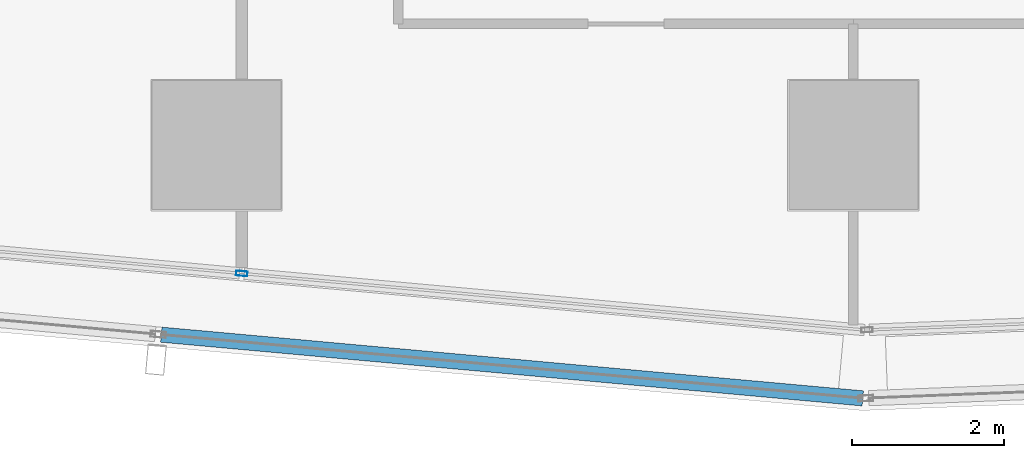
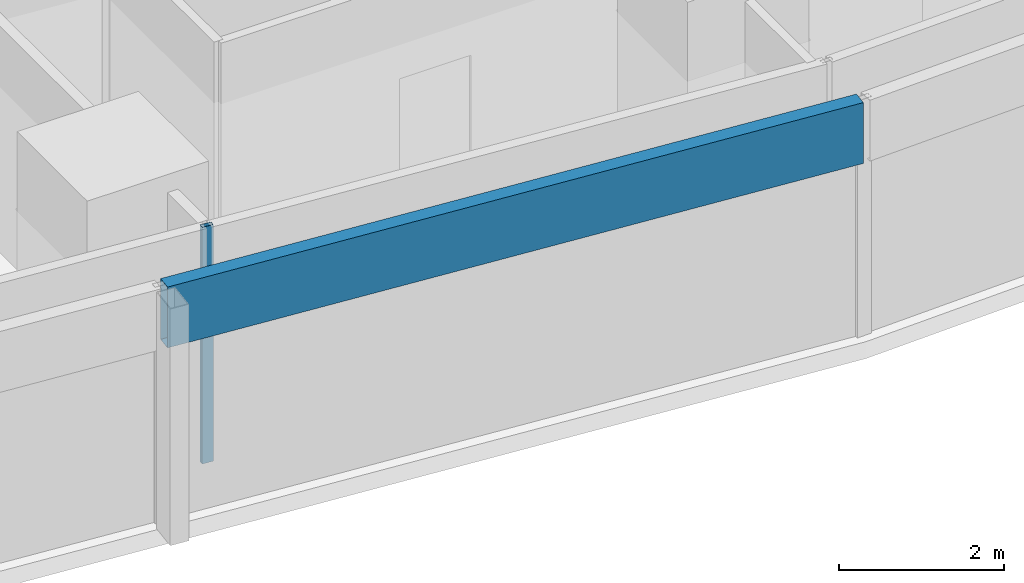
# One storey, part 3 of 40: 2 members, 2 elements without a shape of their own.
"""IFC4 building model written with IfcOpenShell, lengths in metres."""

import ifcopenshell
import ifcopenshell.guid

model = None  # the IFC model being written
_history = None  # IfcOwnerHistory: only IFC2X3 demands one
_inside = {}  # id of a spatial element -> (the spatial element, [elements in it])
_under = {}  # id of a project, library or spatial element -> (it, [spatial elements below it])
_declared = {}  # id of a project -> (the project, [libraries it declares])
_typed = {}  # id of a type object -> (the type object, [elements of that type])
_made_of = {}  # id of a material, layer set ... -> (it, [elements and type objects made of it])


def new_model(schema):
    """Start an empty IFC model of exactly this schema.

    Asked for "IFC4X3", IfcOpenShell would pick the latest addendum, in which some entities
    have other attributes; the version numbers below select the first issue.
    IFC2X3 requires an IfcOwnerHistory on every rooted entity: one is made here for all.
    """
    global model, _history
    if schema == "IFC4X3":
        model = ifcopenshell.file(schema_version=(4, 3, 0, 0))
    else:
        model = ifcopenshell.file(schema=schema)
    _inside.clear()
    _under.clear()
    _declared.clear()
    _typed.clear()
    _made_of.clear()
    _history = None
    if model.schema == "IFC2X3":
        org = make("IfcOrganization", Name="unknown")
        user = make(
            "IfcPersonAndOrganization",
            ThePerson=make("IfcPerson", FamilyName="unknown"),
            TheOrganization=org,
        )
        app = make(
            "IfcApplication",
            ApplicationDeveloper=org,
            Version="unknown",
            ApplicationFullName="unknown",
            ApplicationIdentifier="unknown",
        )
        _history = make(
            "IfcOwnerHistory",
            OwningUser=user,
            OwningApplication=app,
            ChangeAction="ADDED",
            CreationDate=0,
        )
    return model


def make(cls, **values):
    """One entity of the class cls with the attributes given. An attribute that is None is left unset."""
    return model.create_entity(
        cls, **{name: value for name, value in values.items() if value is not None}
    )


def rooted(cls, **values):
    """An entity with a GlobalId (a new one), such as an element, a storey or a relation."""
    return make(cls, GlobalId=ifcopenshell.guid.new(), OwnerHistory=_history, **values)


def si_unit(unit_type, name, prefix=None):
    """IfcSIUnit, for example si_unit("LENGTHUNIT", "METRE", prefix="MILLI")."""
    return make("IfcSIUnit", UnitType=unit_type, Prefix=prefix, Name=name)


def assignment(units):
    """IfcUnitAssignment: the units of a project."""
    return None if units is None else make("IfcUnitAssignment", Units=units)


def point(xyz):
    """IfcCartesianPoint."""
    return None if xyz is None else make("IfcCartesianPoint", Coordinates=xyz)


def direction(xyz):
    """IfcDirection."""
    return None if xyz is None else make("IfcDirection", DirectionRatios=xyz)


def frame(location, z_axis=None, x_axis=None):
    """IfcAxis2Placement3D, a coordinate frame: its origin and axes. An axis left out is left unset."""
    return make(
        "IfcAxis2Placement3D",
        Location=point(location),
        Axis=direction(z_axis),
        RefDirection=direction(x_axis),
    )


def frame_2d(location, x_axis=None):
    """IfcAxis2Placement2D, a coordinate frame in the plane: its origin and x axis."""
    return make(
        "IfcAxis2Placement2D", Location=point(location), RefDirection=direction(x_axis)
    )


def origin():
    """The frame at (0, 0, 0) with its axes left unset."""
    return frame((0.0, 0.0, 0.0))


def origin_2d():
    """The frame at (0, 0) in the plane with its x axis left unset."""
    return frame_2d((0.0, 0.0))


def place(relative_to, where):
    """IfcLocalPlacement: puts the frame where relative to a parent placement (None: the world)."""
    return make(
        "IfcLocalPlacement", PlacementRelTo=relative_to, RelativePlacement=where
    )


def context(
    kind, dimensions, precision=None, world=None, true_north=None, identifier=None
):
    """IfcGeometricRepresentationContext, for example the 3D "Model" context."""
    return make(
        "IfcGeometricRepresentationContext",
        ContextIdentifier=identifier,
        ContextType=kind,
        CoordinateSpaceDimension=dimensions,
        Precision=precision,
        WorldCoordinateSystem=world,
        TrueNorth=true_north,
    )


def subcontext(parent, identifier, kind, view, scale=None):
    """IfcGeometricRepresentationSubContext, for example "Body" below "Model"."""
    return make(
        "IfcGeometricRepresentationSubContext",
        ContextIdentifier=identifier,
        ContextType=kind,
        ParentContext=parent,
        TargetScale=scale,
        TargetView=view,
    )


def project(units=None, contexts=None):
    """IfcProject with its units and contexts."""
    return rooted(
        "IfcProject",
        Name="project",
        RepresentationContexts=contexts,
        UnitsInContext=assignment(units),
    )


def spatial(cls, under=None, at=None, **own):
    """A site, building, storey or space (cls), placed at a placement, below another one or the project."""
    s = rooted(cls, ObjectPlacement=at, **own)
    if under is not None:
        _under.setdefault(under.id(), (under, []))[1].append(s)
    return s


def profile(cls, at=None, kind="AREA", **sizes):
    """A parametric profile (cls). Its sizes go by their IFC names, for example OverallWidth=200.0."""
    return make(cls, ProfileType=kind, Position=at, **sizes)


def hollow_rectangle(**sizes):
    """IfcRectangleHollowProfileDef."""
    return profile("IfcRectangleHollowProfileDef", **sizes)


def extrude(swept, where, along, depth):
    """IfcExtrudedAreaSolid: the profile swept, set in the frame where, extruded along a direction by depth."""
    return make(
        "IfcExtrudedAreaSolid",
        SweptArea=swept,
        Position=where,
        ExtrudedDirection=direction(along),
        Depth=depth,
    )


def shape(context_of_items, identifier, shape_type, items):
    """IfcShapeRepresentation: the items that make up one representation, for example the "Body"."""
    return make(
        "IfcShapeRepresentation",
        ContextOfItems=context_of_items,
        RepresentationIdentifier=identifier,
        RepresentationType=shape_type,
        Items=items,
    )


def material(Name=None, Category=None):
    """IfcMaterial."""
    return make("IfcMaterial", Name=Name, Category=Category)


def material_profile(
    of_material, cross_section, Name=None, Category=None, Priority=None
):
    """IfcMaterialProfile: a cross section and its material."""
    return make(
        "IfcMaterialProfile",
        Name=Name,
        Material=of_material,
        Profile=cross_section,
        Priority=Priority,
        Category=Category,
    )


def profile_set(profiles, Name=None, composite=None):
    """IfcMaterialProfileSet."""
    return make(
        "IfcMaterialProfileSet",
        Name=Name,
        MaterialProfiles=profiles,
        CompositeProfile=composite,
    )


def made_of(thing, what):
    """Note that an element or type object is made of a material, layer set ...; save() writes the relation."""
    if what is not None:
        _made_of.setdefault(what.id(), (what, []))[1].append(thing)
    return thing


def type_object(cls, material=None, **own):
    """A type object (cls), such as IfcWallType, which elements share."""
    return made_of(rooted(cls, **own), material)


def element(
    cls,
    number,
    at=None,
    inside=None,
    cuts=None,
    type_object=None,
    material=None,
    context=None,
    identifier="Body",
    shape_type=None,
    held_by="IfcProductDefinitionShape",
    body=None,
    shapes=None,
    **own,
):
    """One element of the class cls, such as IfcWall. Its Tag is "e" and its number.

    at: its placement. inside: the storey or other place that contains it. cuts: it is an
    opening in that element (IfcRelVoidsElement). A single representation is given by context,
    identifier, shape_type and body (its items); several are given by shapes. held_by: the class
    of the entity that holds the representations. save() writes the other relations.
    """
    e = rooted(cls, Tag="e%d" % number, ObjectPlacement=at, **own)
    if body is not None:
        shapes = [shape(context, identifier, shape_type, body)]
    if shapes is not None:
        e.Representation = make(held_by, Representations=shapes)
    if inside is not None:
        _inside.setdefault(inside.id(), (inside, []))[1].append(e)
    if cuts is not None:
        rooted(
            "IfcRelVoidsElement", RelatingBuildingElement=cuts, RelatedOpeningElement=e
        )
    if type_object is not None:
        _typed.setdefault(type_object.id(), (type_object, []))[1].append(e)
    return made_of(e, material)


def aggregate(whole, parts):
    """IfcRelAggregates: a whole, such as a stair, and the parts it consists of."""
    return rooted("IfcRelAggregates", RelatingObject=whole, RelatedObjects=parts)


def save(model, path):
    """Write the relations noted so far, then the file.

    IfcRelAggregates (storeys below a building ...), IfcRelContainedInSpatialStructure (elements
    in a storey), IfcRelDefinesByType, IfcRelAssociatesMaterial and IfcRelDeclares: one each for
    every whole, place, type object, material and project.
    """
    for whole, parts in _under.values():
        aggregate(whole, parts)
    for where, things in _inside.values():
        rooted(
            "IfcRelContainedInSpatialStructure",
            RelatedElements=things,
            RelatingStructure=where,
        )
    for kind, things in _typed.values():
        rooted("IfcRelDefinesByType", RelatedObjects=things, RelatingType=kind)
    for what, things in _made_of.values():
        rooted("IfcRelAssociatesMaterial", RelatedObjects=things, RelatingMaterial=what)
    for by, libraries in _declared.values():
        rooted("IfcRelDeclares", RelatingContext=by, RelatedDefinitions=libraries)
    model.write(path)


model = new_model("IFC4")

# Units and contexts
model_context = context("Model", 3, precision=1e-05, world=origin(), true_north=direction((0.0, 1.0)))
body_context = subcontext(model_context, "Body", "Model", "MODEL_VIEW")
ifc_project = project(units=[si_unit("LENGTHUNIT", "METRE"), si_unit("AREAUNIT", "SQUARE_METRE"), si_unit("VOLUMEUNIT", "CUBIC_METRE"), si_unit("PLANEANGLEUNIT", "RADIAN"), si_unit("MASSUNIT", "GRAM", prefix="KILO")], contexts=[model_context])

# Site, building, storey
site_placement = place(None, origin())
site = spatial("IfcSite", under=ifc_project, at=site_placement, CompositionType="ELEMENT")
building_placement = place(site_placement, origin())
building = spatial("IfcBuilding", under=site, at=building_placement, Name="Rekha Terrace Tower", CompositionType="ELEMENT")
storey_placement = place(building_placement, frame((0.0, 0.0, 99.050048828125)))
storey = spatial("IfcBuildingStorey", under=building, at=storey_placement, Name="L24", CompositionType="ELEMENT", Elevation=99.050048828125)

# Curtain wall, member
ifc_material_1 = material(Name="Aluminium framing", Category="aluminium")
curtain_wall_type_1 = type_object("IfcCurtainWallType", Name="CW1 double skin inner glazing", PredefinedType="USERDEFINED", material=ifc_material_1)
curtain_wall_1_placement = place(storey_placement, origin())
curtain_wall_1 = element("IfcCurtainWall", 1, at=curtain_wall_1_placement, inside=storey, type_object=curtain_wall_type_1, Name="CW1 double skin inner glazing", ObjectType="DOUBLE SKIN INNER GLAZING", PredefinedType="USERDEFINED")
ifc_material_2 = material(Name="Aluminium mullion section", Category="aluminium")
ifc_material_profile_1 = material_profile(ifc_material_2, hollow_rectangle(XDim=0.06494140625, YDim=0.14990234375, WallThickness=0.00390625, at=origin_2d()), Name="AL RHS 65x150")
ifc_profile_set_1 = profile_set([ifc_material_profile_1], Name="Aluminium mullion section")
member_type_1 = type_object("IfcMemberType", Name="CW1 mullion RHS 65 x 150", PredefinedType="MULLION", material=ifc_profile_set_1)
member_1_placement = place(storey_placement, frame((17.13427734375, 15.107666015625, 0.0), z_axis=(0.0, 0.0, 1.0), x_axis=(0.090439811381, 0.995901923142, 0.0)))
member_1 = element("IfcMember", 2, at=member_1_placement, type_object=member_type_1, Name="CW1 mullion 2", PredefinedType="MULLION", context=body_context, shape_type="SweptSolid", body=[
    extrude(hollow_rectangle(XDim=0.06494140625, YDim=0.14990234375, WallThickness=0.00390625, at=origin_2d()), origin(), (0.0, 0.0, 1.0), 3.5),
])
aggregate(curtain_wall_1, [member_1])

curtain_wall_type_2 = type_object("IfcCurtainWallType", Name="CW2 double skin outer glazing", PredefinedType="USERDEFINED", material=ifc_material_1)
curtain_wall_2_placement = place(storey_placement, origin())
curtain_wall_2 = element("IfcCurtainWall", 3, at=curtain_wall_2_placement, inside=storey, type_object=curtain_wall_type_2, Name="CW2 double skin outer glazing", ObjectType="DOUBLE SKIN OUTER GLAZING", PredefinedType="USERDEFINED")
ifc_material_3 = material(Name="Insulated aluminium spandrel box", Category="aluminium")
ifc_material_profile_2 = material_profile(ifc_material_3, hollow_rectangle(XDim=0.199951171875, YDim=0.89990234375, WallThickness=0.0029296875, at=origin_2d()), Name="AL SPANDREL BOX 200x900")
ifc_profile_set_2 = profile_set([ifc_material_profile_2], Name="Insulated aluminium spandrel box")
member_type_2 = type_object("IfcMemberType", Name="CW2 spandrel transom 200 x 900", PredefinedType="USERDEFINED", material=ifc_profile_set_2)
member_2_placement = place(storey_placement, frame((16.072265625, 14.300537109375, 3.050048828125), z_axis=(0.995900527097, -0.090455182982, 0.0), x_axis=(0.090455182982, 0.995900527097, 0.0)))
member_2 = element("IfcMember", 4, at=member_2_placement, type_object=member_type_2, Name="CW2 spandrel transom 2", ObjectType="TRANSOM", PredefinedType="USERDEFINED", context=body_context, shape_type="SweptSolid", body=[
    extrude(hollow_rectangle(XDim=0.199951171875, YDim=0.89990234375, WallThickness=0.0029296875, at=origin_2d()), origin(), (0.0, 0.0, 1.0), 9.2900390625),
])
aggregate(curtain_wall_2, [member_2])

save(model, "model.ifc")
